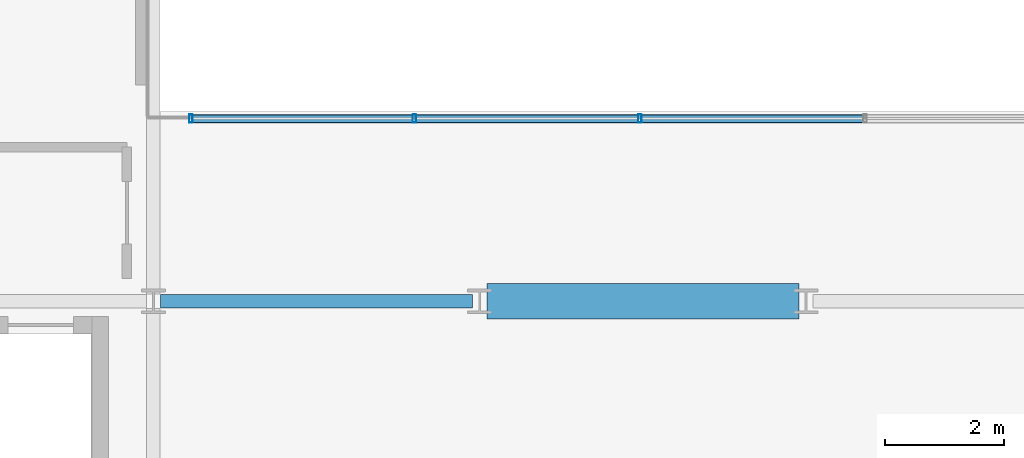
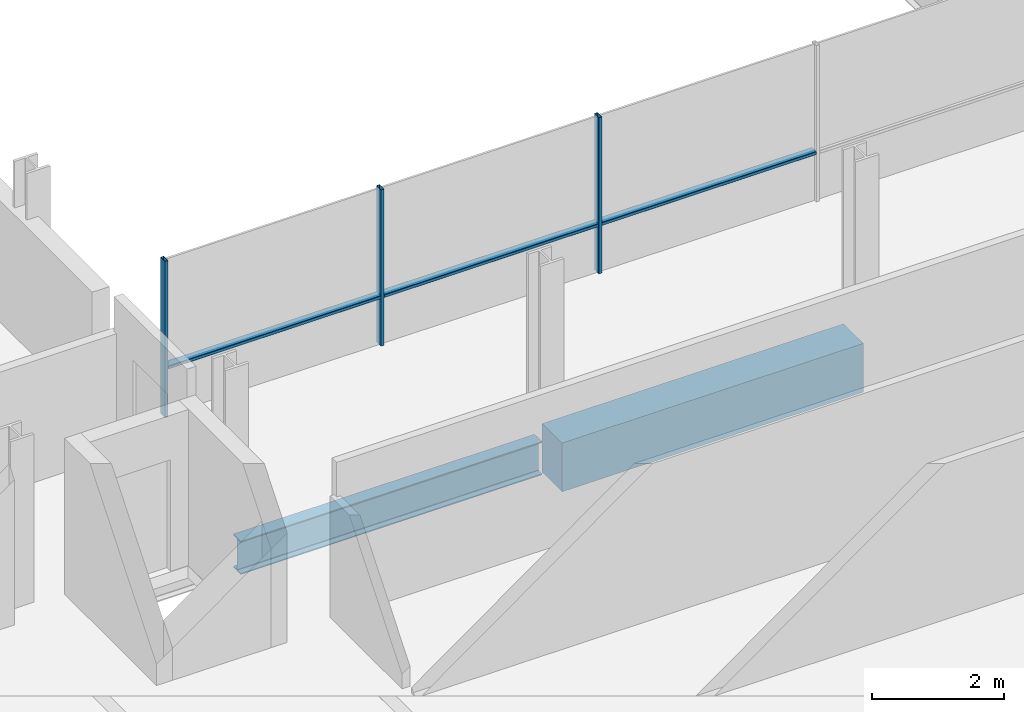
# One storey, part 4 of 41: 6 members, 2 beams, 1 element without a shape of its own.
"""IFC4 building model written with IfcOpenShell, lengths in metres."""

from ifc_helpers import new_model, si_unit, direction, frame, origin, origin_2d, place, context, subcontext, project, spatial, rectangle, hollow_rectangle, i_section, extrude, material, layer, layer_set, material_profile, profile_set, type_object, element, aggregate, save


model = new_model("IFC4")

# Units and contexts
model_context = context("Model", 3, precision=1e-05, world=origin(), true_north=direction((0.0, 1.0)))
body_context = subcontext(model_context, "Body", "Model", "MODEL_VIEW")
ifc_project = project(units=[si_unit("LENGTHUNIT", "METRE"), si_unit("AREAUNIT", "SQUARE_METRE"), si_unit("VOLUMEUNIT", "CUBIC_METRE"), si_unit("PLANEANGLEUNIT", "RADIAN"), si_unit("MASSUNIT", "GRAM", prefix="KILO")], contexts=[model_context])

# Site, building, storey
site_placement = place(None, origin())
site = spatial("IfcSite", under=ifc_project, at=site_placement, CompositionType="ELEMENT")
building_placement = place(site_placement, origin())
building = spatial("IfcBuilding", under=site, at=building_placement, Name="Brevholm Reach", CompositionType="ELEMENT")
storey_placement = place(building_placement, frame((0.0, 0.0, 112.800048828125)))
storey = spatial("IfcBuildingStorey", under=building, at=storey_placement, Name="L33", CompositionType="ELEMENT", Elevation=112.800048828125)

# Beams
ifc_material_1 = material(Name="Concrete C50/60", Category="concrete")
ifc_material_profile_1 = material_profile(ifc_material_1, rectangle(XDim=0.60009765625, YDim=0.89990234375, at=origin_2d()), Name="RC 600x900")
ifc_profile_set_1 = profile_set([ifc_material_profile_1], Name="Concrete C50/60")
beam_type_1 = type_object("IfcBeamType", Name="BM-CB600", PredefinedType="LINTEL", material=ifc_profile_set_1)
beam_1_placement = place(storey_placement, frame((27.3701171875, 10.0, -0.670166015625), z_axis=(1.0, 0.0, 0.0), x_axis=(0.0, 1.0, 0.0)))
element("IfcBeam", 1, at=beam_1_placement, inside=storey, type_object=beam_type_1, Name="L33 CB-02 Framing Beam", PredefinedType="LINTEL", context=body_context, shape_type="SweptSolid", body=[
    extrude(rectangle(XDim=0.60009765625, YDim=0.89990234375, at=origin_2d()), origin(), (0.0, 0.0, 1.0), 5.259765625),
])
ifc_material_2 = material(Name="Structural Steel S355J2", Category="steel")
ifc_material_profile_2 = material_profile(ifc_material_2, i_section(OverallWidth=0.22900390625, OverallDepth=0.6123046875, WebThickness=0.011962890625, FlangeThickness=0.01953125, FilletRadius=0.0126953125, at=origin_2d()), Name="UKB 610x229x125")
ifc_profile_set_2 = profile_set([ifc_material_profile_2], Name="Structural Steel S355J2")
beam_type_2 = type_object("IfcBeamType", Name="BM-SP610", PredefinedType="SPANDREL", material=ifc_profile_set_2)
beam_2_placement = place(storey_placement, frame((21.8701171875, 10.0, -0.526123046875), z_axis=(1.0, 0.0, 0.0), x_axis=(0.0, 1.0, 0.0)))
element("IfcBeam", 2, at=beam_2_placement, inside=storey, type_object=beam_type_2, Name="L33 SP-01 Framing Beam", PredefinedType="SPANDREL", context=body_context, shape_type="SweptSolid", body=[
    extrude(i_section(OverallWidth=0.22900390625, OverallDepth=0.6123046875, WebThickness=0.011962890625, FlangeThickness=0.01953125, FilletRadius=0.0126953125, at=origin_2d()), origin(), (0.0, 0.0, 1.0), 5.259765625),
])

# Curtain wall, members
ifc_material_3 = material(Name="Dark Anodised Aluminium 6063-T6 and Solar-Control Glass", Category="aluminium")
ifc_layer = layer(ifc_material_3, 0.139892578125)
ifc_layer_set = layer_set([ifc_layer], Name="Dark Anodised Aluminium 6063-T6 and Solar-Control Glass")
curtain_wall_type = type_object("IfcCurtainWallType", Name="CW-02", PredefinedType="NOTDEFINED", material=ifc_layer_set)
curtain_wall_placement = place(storey_placement, origin())
curtain_wall = element("IfcCurtainWall", 3, at=curtain_wall_placement, inside=storey, type_object=curtain_wall_type, Name="L33 Curtain Wall CW-02", PredefinedType="NOTDEFINED")
ifc_material_4 = material(Name="Dark Anodised Aluminium 6063-T6", Category="aluminium")
ifc_material_profile_3 = material_profile(ifc_material_4, hollow_rectangle(XDim=0.06005859375, YDim=0.139892578125, WallThickness=0.0048828125, InnerFilletRadius=0.0048828125, OuterFilletRadius=0.010009765625, at=origin_2d()), Name="RHS 140x60x5")
ifc_profile_set_3 = profile_set([ifc_material_profile_3], Name="Dark Anodised Aluminium 6063-T6")
member_type_1 = type_object("IfcMemberType", Name="CWM-140", PredefinedType="MULLION", material=ifc_profile_set_3)
member_1_placement = place(storey_placement, frame((22.3798828125, 13.080078125, 0.0), z_axis=(0.0, 0.0, 1.0), x_axis=(1.0, 0.0, 0.0)))
member_1 = element("IfcMember", 4, at=member_1_placement, type_object=member_type_1, Name="CM-140 Mullion 1", PredefinedType="MULLION", context=body_context, shape_type="SweptSolid", body=[
    extrude(hollow_rectangle(XDim=0.06005859375, YDim=0.139892578125, WallThickness=0.0048828125, InnerFilletRadius=0.0048828125, OuterFilletRadius=0.010009765625, at=origin_2d()), origin(), (0.0, 0.0, 1.0), 2.8798828125),
])
member_2_placement = place(storey_placement, frame((26.14990234375, 13.080078125, 0.0), z_axis=(0.0, 0.0, 1.0), x_axis=(1.0, 0.0, 0.0)))
member_2 = element("IfcMember", 5, at=member_2_placement, type_object=member_type_1, Name="CM-140 Mullion 2", PredefinedType="MULLION", context=body_context, shape_type="SweptSolid", body=[
    extrude(hollow_rectangle(XDim=0.06005859375, YDim=0.139892578125, WallThickness=0.0048828125, InnerFilletRadius=0.0048828125, OuterFilletRadius=0.010009765625, at=origin_2d()), origin(), (0.0, 0.0, 1.0), 2.8798828125),
])
member_3_placement = place(storey_placement, frame((29.949951171875, 13.080078125, 0.0), z_axis=(0.0, 0.0, 1.0), x_axis=(1.0, 0.0, 0.0)))
member_3 = element("IfcMember", 6, at=member_3_placement, type_object=member_type_1, Name="CM-140 Mullion 3", PredefinedType="MULLION", context=body_context, shape_type="SweptSolid", body=[
    extrude(hollow_rectangle(XDim=0.06005859375, YDim=0.139892578125, WallThickness=0.0048828125, InnerFilletRadius=0.0048828125, OuterFilletRadius=0.010009765625, at=origin_2d()), origin(), (0.0, 0.0, 1.0), 2.8798828125),
])
ifc_material_5 = material(Name="Dark Anodised Aluminium 6063-T6", Category="aluminium")
ifc_material_profile_4 = material_profile(ifc_material_5, hollow_rectangle(XDim=0.06005859375, YDim=0.139892578125, WallThickness=0.0048828125, InnerFilletRadius=0.0048828125, OuterFilletRadius=0.010009765625, at=origin_2d()), Name="RHS 140x60x5")
ifc_profile_set_4 = profile_set([ifc_material_profile_4], Name="Dark Anodised Aluminium 6063-T6")
member_type_2 = type_object("IfcMemberType", Name="CWT-140", PredefinedType="NOTDEFINED", material=ifc_profile_set_4)
member_4_placement = place(storey_placement, frame((22.409912109375, 13.080078125, 0.89990234375), z_axis=(1.0, 0.0, 0.0), x_axis=(0.0, 0.0, 1.0)))
member_4 = element("IfcMember", 7, at=member_4_placement, type_object=member_type_2, Name="CT-140 Transom 1.1", ObjectType="TRANSOM", PredefinedType="USERDEFINED", context=body_context, shape_type="SweptSolid", body=[
    extrude(hollow_rectangle(XDim=0.06005859375, YDim=0.139892578125, WallThickness=0.0048828125, InnerFilletRadius=0.0048828125, OuterFilletRadius=0.010009765625, at=origin_2d()), origin(), (0.0, 0.0, 1.0), 3.710205078125),
])
member_5_placement = place(storey_placement, frame((26.179931640625, 13.080078125, 0.89990234375), z_axis=(1.0, 0.0, 0.0), x_axis=(0.0, 0.0, 1.0)))
member_5 = element("IfcMember", 8, at=member_5_placement, type_object=member_type_2, Name="CT-140 Transom 2.1", ObjectType="TRANSOM", PredefinedType="USERDEFINED", context=body_context, shape_type="SweptSolid", body=[
    extrude(hollow_rectangle(XDim=0.06005859375, YDim=0.139892578125, WallThickness=0.0048828125, InnerFilletRadius=0.0048828125, OuterFilletRadius=0.010009765625, at=origin_2d()), origin(), (0.0, 0.0, 1.0), 3.739990234375),
])
member_6_placement = place(storey_placement, frame((29.97998046875, 13.080078125, 0.89990234375), z_axis=(1.0, 0.0, 0.0), x_axis=(0.0, 0.0, 1.0)))
member_6 = element("IfcMember", 9, at=member_6_placement, type_object=member_type_2, Name="CT-140 Transom 3.1", ObjectType="TRANSOM", PredefinedType="USERDEFINED", context=body_context, shape_type="SweptSolid", body=[
    extrude(hollow_rectangle(XDim=0.06005859375, YDim=0.139892578125, WallThickness=0.0048828125, InnerFilletRadius=0.0048828125, OuterFilletRadius=0.010009765625, at=origin_2d()), origin(), (0.0, 0.0, 1.0), 3.739990234375),
])
aggregate(curtain_wall, [member_1, member_2, member_3, member_4, member_5, member_6])

save(model, "model.ifc")
